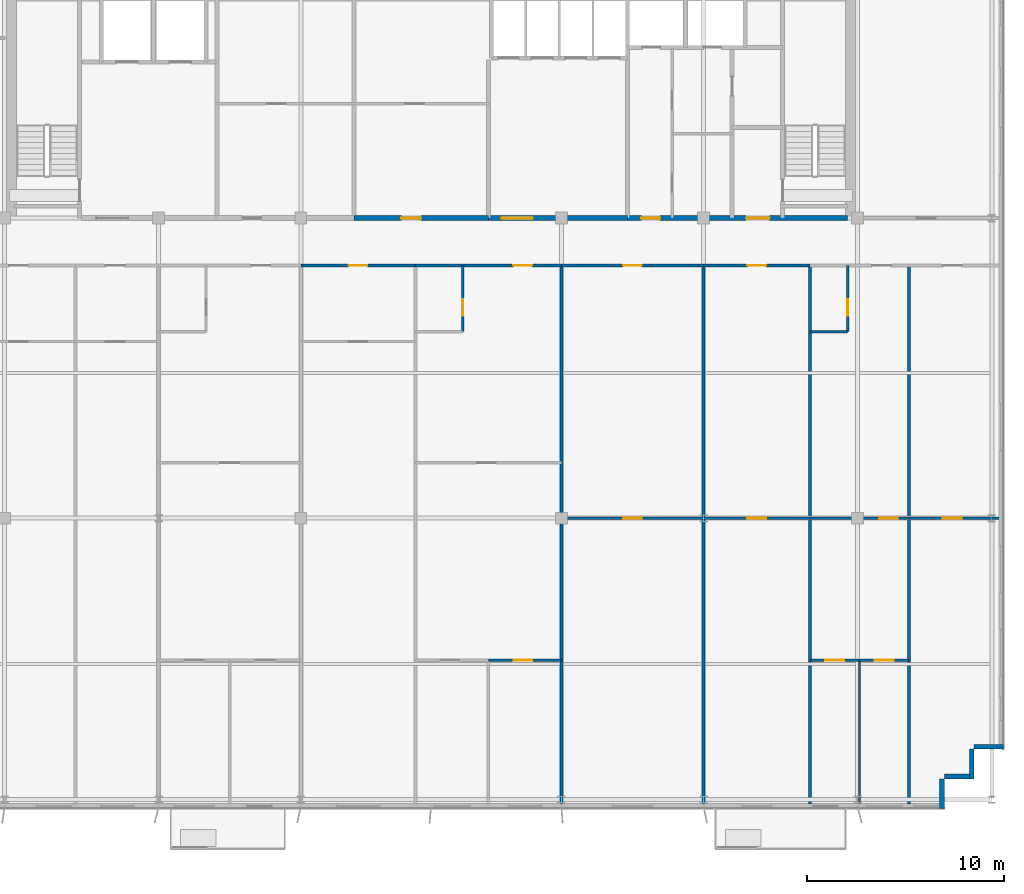
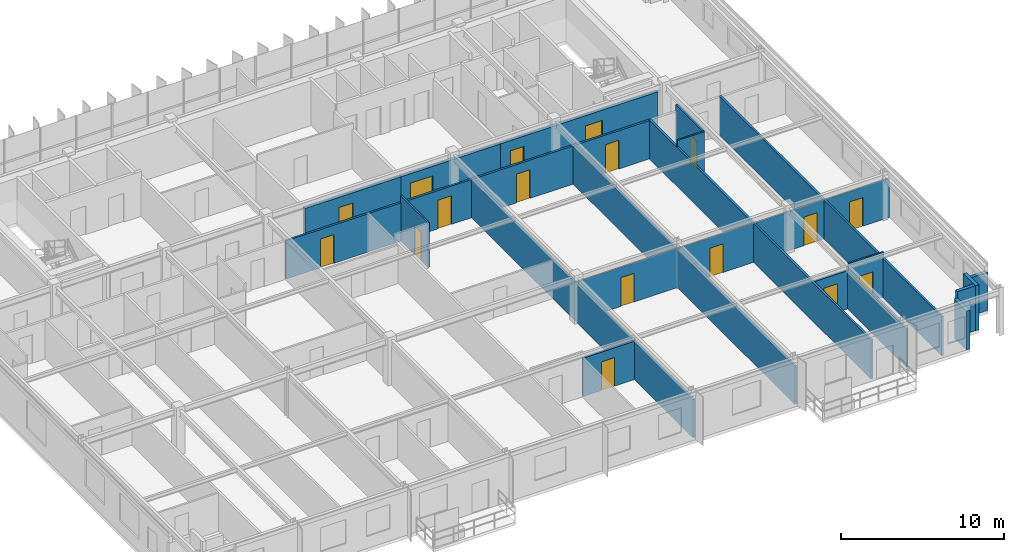
# One storey, part 18 of 23: 26 walls, 17 doors, 17 openings.
"""IFC4 building model written with IfcOpenShell, lengths in metres."""

from ifc_helpers import new_model, si_unit, direction, frame, frame_2d, origin, place, context, subcontext, project, spatial, rectangle, extrude, source, transform, mapped, material, layer, layer_set, type_object, element, fill, save


model = new_model("IFC4")

# Units and contexts
model_context = context("Model", 3, precision=1e-05, world=origin(), true_north=direction((0.0, 1.0)))
body_context = subcontext(model_context, "Body", "Model", "MODEL_VIEW")
ifc_project = project(units=[si_unit("LENGTHUNIT", "METRE"), si_unit("AREAUNIT", "SQUARE_METRE"), si_unit("VOLUMEUNIT", "CUBIC_METRE"), si_unit("PLANEANGLEUNIT", "RADIAN"), si_unit("MASSUNIT", "GRAM", prefix="KILO")], contexts=[model_context])

# Site, building, storey
site_placement = place(None, origin())
site = spatial("IfcSite", under=ifc_project, at=site_placement, CompositionType="ELEMENT")
building_placement = place(site_placement, origin())
building = spatial("IfcBuilding", under=site, at=building_placement, Name="Trelvane Seafront Commons", CompositionType="ELEMENT")
storey_placement = place(building_placement, frame((0.0, 0.0, 266.699951171875)))
storey = spatial("IfcBuildingStorey", under=building, at=storey_placement, Name="L69", CompositionType="ELEMENT", Elevation=266.699951171875)

# Walls
ifc_material_1 = material(Name="Precast concrete C40/50", Category="concrete")
ifc_layer_1 = layer(ifc_material_1, 0.239990234375, Name="ARCH-WALL-EXT240")
ifc_layer_set_1 = layer_set([ifc_layer_1], Name="Precast concrete C40/50")
wall_type_1 = type_object("IfcWallType", Name="ARCH-WALL-EXT240", PredefinedType="SOLIDWALL", material=ifc_layer_set_1)
wall_1_placement = place(storey_placement, frame((66.199951171875, 6.6201171875, 0.0), z_axis=(0.0, 0.0, 1.0), x_axis=(-1.0, 0.0, 0.0)))
element("IfcWall", 1, at=wall_1_placement, inside=storey, type_object=wall_type_1, Name="EW-L69-01397", PredefinedType="SOLIDWALL", context=body_context, shape_type="SweptSolid", body=[
    extrude(rectangle(XDim=1.5, YDim=0.239990234375, at=frame_2d((0.75, 0.0))), origin(), (0.0, 0.0, 1.0), 2.8701171875),
])
for number, where, z_axis, x_axis, name in (
    (2, (64.580078125, 6.5, 0.0), (0.0, 0.0, 1.0), (0.0, -1.0, 0.0), "EW-L69-01398"),
    (3, (64.699951171875, 5.1201171875, 0.0), (0.0, 0.0, 1.0), (-1.0, 0.0, 0.0), "EW-L69-01399"),
):
    element("IfcWall", number, at=place(storey_placement, frame(where, z_axis=z_axis, x_axis=x_axis)), inside=storey, type_object=wall_type_1, Name=name, PredefinedType="SOLIDWALL", context=body_context, shape_type="SweptSolid", body=[
        extrude(rectangle(XDim=1.5, YDim=0.239990234375, at=frame_2d((0.75, 0.0))), origin(), (0.0, 0.0, 1.0), 3.3701171875),
    ])
wall_2_placement = place(storey_placement, frame((63.080078125, 5.0, 0.0), z_axis=(0.0, 0.0, 1.0), x_axis=(0.0, -1.0, 0.0)))
element("IfcWall", 4, at=wall_2_placement, inside=storey, type_object=wall_type_1, Name="EW-L69-01400", PredefinedType="SOLIDWALL", context=body_context, shape_type="SweptSolid", body=[
    extrude(rectangle(XDim=1.5, YDim=0.239990234375, at=frame_2d((0.75, 0.0))), origin(), (0.0, 0.0, 1.0), 2.920166015625),
])

# Wall, opening, door
ifc_material_2 = material(Name="Concrete C40/50", Category="concrete")
ifc_layer_2 = layer(ifc_material_2, 0.25, Name="ARCH-WALL-FIRE250")
ifc_layer_set_2 = layer_set([ifc_layer_2], Name="Concrete C40/50")
wall_type_2 = type_object("IfcWallType", Name="ARCH-WALL-FIRE250", PredefinedType="PARTITIONING", material=ifc_layer_set_2)
wall_3_placement = place(storey_placement, frame((33.300048828125, 33.39990234375, 0.0), z_axis=(0.0, 0.0, 1.0), x_axis=(1.0, 0.0, 0.0)))
wall_3 = element("IfcWall", 5, at=wall_3_placement, inside=storey, type_object=wall_type_2, Name="W-L69-CS-FPM-025", PredefinedType="PARTITIONING", context=body_context, shape_type="SweptSolid", body=[
    extrude(rectangle(XDim=6.800048828125, YDim=0.25, at=frame_2d((3.39990234375, 0.0))), origin(), (0.0, 0.0, 1.0), 2.920166015625),
])
opening_1_placement = place(wall_3_placement, frame((2.39990234375, 0.0, 0.0)))
opening_1 = element("IfcOpeningElement", 6, at=opening_1_placement, cuts=wall_3, Name="Opening FD-L69-13", PredefinedType="OPENING", context=body_context, shape_type="SweptSolid", body=[
    extrude(rectangle(XDim=1.0, YDim=2.14990234375, at=frame_2d((0.5, 1.074951171875))), frame((0.0, 0.135009765625, 0.0), z_axis=(0.0, -1.0, 0.0), x_axis=(1.0, 0.0, 0.0)), (0.0, 0.0, 1.0), 0.27001953125),
])
ifc_material_3 = material(Name="Powder-coated aluminium frame", Category="aluminium")
door_type_1 = type_object("IfcDoorType", Name="ARCH-DR-FD60-1000", OperationType="NOTDEFINED", PredefinedType="DOOR", material=ifc_material_3)
shared_shape_1 = source(origin(), body_context, "Body", "SweptSolid", [
    extrude(rectangle(XDim=1.0, YDim=2.14990234375, at=frame_2d((0.5, 1.074951171875))), frame((0.0, 0.02490234375, 0.0), z_axis=(0.0, -1.0, 0.0), x_axis=(1.0, 0.0, 0.0)), (0.0, 0.0, 1.0), 0.050048828125),
])
door_1_placement = place(opening_1_placement, origin())
door_1 = element("IfcDoor", 7, at=door_1_placement, inside=storey, type_object=door_type_1, Name="L69 Trunk Storage Door", OperationType="SINGLE_SWING_LEFT", OverallHeight=2.14990234375, OverallWidth=1.0, PredefinedType="DOOR", context=body_context, shape_type="MappedRepresentation", body=[
    mapped(shared_shape_1, transform((0.0, 0.0, 0.0), x_axis=(1.0, 0.0, 0.0), y_axis=(0.0, 1.0, 0.0), z_axis=(0.0, 0.0, 1.0), scale=1.0)),
])
fill(opening_1, door_1)

wall_4_placement = place(storey_placement, frame((40.10009765625, 33.39990234375, 0.0), z_axis=(0.0, 0.0, 1.0), x_axis=(1.0, 0.0, 0.0)))
wall_4 = element("IfcWall", 8, at=wall_4_placement, inside=storey, type_object=wall_type_2, Name="W-L69-CS-PAX-026", PredefinedType="PARTITIONING", context=body_context, shape_type="SweptSolid", body=[
    extrude(rectangle(XDim=7.0498046875, YDim=0.25, at=frame_2d((3.52490234375, 0.0))), origin(), (0.0, 0.0, 1.0), 2.920166015625),
])
opening_2_placement = place(wall_4_placement, frame((0.64990234375, 0.0, 0.0)))
opening_2 = element("IfcOpeningElement", 9, at=opening_2_placement, cuts=wall_4, Name="Opening FD-L69-14", PredefinedType="OPENING", context=body_context, shape_type="SweptSolid", body=[
    extrude(rectangle(XDim=1.60009765625, YDim=2.199951171875, at=frame_2d((0.800048828125, 1.10009765625))), frame((0.0, 0.135009765625, 0.0), z_axis=(0.0, -1.0, 0.0), x_axis=(1.0, 0.0, 0.0)), (0.0, 0.0, 1.0), 0.27001953125),
])
door_type_2 = type_object("IfcDoorType", Name="ARCH-DR-FD60-1600", OperationType="DOUBLE_DOOR_SINGLE_SWING", PredefinedType="DOOR", material=ifc_material_3)
shared_shape_2 = source(origin(), body_context, "Body", "SweptSolid", [
    extrude(rectangle(XDim=1.60009765625, YDim=2.199951171875, at=frame_2d((0.800048828125, 1.10009765625))), frame((0.0, 0.02490234375, 0.0), z_axis=(0.0, -1.0, 0.0), x_axis=(1.0, 0.0, 0.0)), (0.0, 0.0, 1.0), 0.050048828125),
])
door_2_placement = place(opening_2_placement, origin())
door_2 = element("IfcDoor", 10, at=door_2_placement, inside=storey, type_object=door_type_2, Name="L69 High-Rise Lift Lobby Double Door", OperationType="DOUBLE_DOOR_SINGLE_SWING", OverallHeight=2.199951171875, OverallWidth=1.60009765625, PredefinedType="DOOR", context=body_context, shape_type="MappedRepresentation", body=[
    mapped(shared_shape_2, transform((0.0, 0.0, 0.0), x_axis=(1.0, 0.0, 0.0), y_axis=(0.0, 1.0, 0.0), z_axis=(0.0, 0.0, 1.0), scale=1.0)),
])
fill(opening_2, door_2)

# Wall, openings, doors
wall_5_placement = place(storey_placement, frame((47.14990234375, 33.39990234375, 0.0), z_axis=(0.0, 0.0, 1.0), x_axis=(1.0, 0.0, 0.0)))
wall_5 = element("IfcWall", 11, at=wall_5_placement, inside=storey, type_object=wall_type_2, Name="W-L69-CS-EAST-034", PredefinedType="PARTITIONING", context=body_context, shape_type="SweptSolid", body=[
    extrude(rectangle(XDim=11.150146484375, YDim=0.25, at=frame_2d((5.5751953125, 0.0))), origin(), (0.0, 0.0, 1.0), 2.920166015625),
])
opening_3_placement = place(wall_5_placement, frame((0.699951171875, 0.0, 0.0)))
opening_3 = element("IfcOpeningElement", 12, at=opening_3_placement, cuts=wall_5, Name="Opening FD-L69-20", PredefinedType="OPENING", context=body_context, shape_type="SweptSolid", body=[
    extrude(rectangle(XDim=0.949951171875, YDim=2.14990234375, at=frame_2d((0.47509765625, 1.074951171875))), frame((0.0, 0.135009765625, 0.0), z_axis=(0.0, -1.0, 0.0), x_axis=(1.0, 0.0, 0.0)), (0.0, 0.0, 1.0), 0.27001953125),
])
opening_4_placement = place(wall_5_placement, frame((6.0, 0.0, 0.0)))
opening_4 = element("IfcOpeningElement", 13, at=opening_4_placement, cuts=wall_5, Name="Opening FD-L69-21", PredefinedType="OPENING", context=body_context, shape_type="SweptSolid", body=[
    extrude(rectangle(XDim=1.199951171875, YDim=2.14990234375, at=frame_2d((0.60009765625, 1.074951171875))), frame((0.0, 0.135009765625, 0.0), z_axis=(0.0, -1.0, 0.0), x_axis=(1.0, 0.0, 0.0)), (0.0, 0.0, 1.0), 0.27001953125),
])
door_type_3 = type_object("IfcDoorType", Name="ARCH-DR-FD60-950", OperationType="NOTDEFINED", PredefinedType="DOOR", material=ifc_material_3)
shared_shape_3 = source(origin(), body_context, "Body", "SweptSolid", [
    extrude(rectangle(XDim=0.949951171875, YDim=2.14990234375, at=frame_2d((0.47509765625, 1.074951171875))), frame((0.0, 0.02490234375, 0.0), z_axis=(0.0, -1.0, 0.0), x_axis=(1.0, 0.0, 0.0)), (0.0, 0.0, 1.0), 0.050048828125),
])
door_3_placement = place(opening_3_placement, origin())
door_3 = element("IfcDoor", 14, at=door_3_placement, inside=storey, type_object=door_type_3, Name="L69 Core Service Lobby Door", OperationType="SINGLE_SWING_RIGHT", OverallHeight=2.14990234375, OverallWidth=0.949951171875, PredefinedType="DOOR", context=body_context, shape_type="MappedRepresentation", body=[
    mapped(shared_shape_3, transform((0.0, 0.0, 0.0), x_axis=(1.0, 0.0, 0.0), y_axis=(0.0, 1.0, 0.0), z_axis=(0.0, 0.0, 1.0), scale=1.0)),
])
fill(opening_3, door_3)
door_type_4 = type_object("IfcDoorType", Name="ARCH-DR-FD60-1200", OperationType="NOTDEFINED", PredefinedType="DOOR", material=ifc_material_3)
shared_shape_4 = source(origin(), body_context, "Body", "SweptSolid", [
    extrude(rectangle(XDim=1.199951171875, YDim=2.14990234375, at=frame_2d((0.60009765625, 1.074951171875))), frame((0.0, 0.02490234375, 0.0), z_axis=(0.0, -1.0, 0.0), x_axis=(1.0, 0.0, 0.0)), (0.0, 0.0, 1.0), 0.050048828125),
])
door_4_placement = place(opening_4_placement, origin())
door_4 = element("IfcDoor", 15, at=door_4_placement, inside=storey, type_object=door_type_4, Name="L69 East Stair Vestibule Fire Door", OperationType="SINGLE_SWING_LEFT", OverallHeight=2.14990234375, OverallWidth=1.199951171875, PredefinedType="DOOR", context=body_context, shape_type="MappedRepresentation", body=[
    mapped(shared_shape_4, transform((0.0, 0.0, 0.0), x_axis=(1.0, 0.0, 0.0), y_axis=(0.0, 1.0, 0.0), z_axis=(0.0, 0.0, 1.0), scale=1.0)),
])
fill(opening_4, door_4)

# Wall, opening, door
ifc_material_4 = material(Name="Gypsum Drywall Acoustic Partition")
ifc_layer_3 = layer(ifc_material_4, 0.1201171875, Name="ARCH-WALL-PART120")
ifc_layer_set_3 = layer_set([ifc_layer_3], Name="Gypsum Drywall Acoustic Partition")
wall_type_3 = type_object("IfcWallType", Name="ARCH-WALL-PART120", PredefinedType="PARTITIONING", material=ifc_layer_set_3)
wall_6_placement = place(storey_placement, frame((38.800048828125, 27.64990234375, 0.0), z_axis=(0.0, 0.0, 1.0), x_axis=(0.0, 1.0, 0.0)))
wall_6 = element("IfcWall", 16, at=wall_6_placement, inside=storey, type_object=wall_type_3, Name="W-L69-U6-BE-073", PredefinedType="PARTITIONING", context=body_context, shape_type="SweptSolid", body=[
    extrude(rectangle(XDim=3.35009765625, YDim=0.1201171875, at=frame_2d((1.675048828125, 0.0))), origin(), (0.0, 0.0, 1.0), 3.3701171875),
])
opening_5_placement = place(wall_6_placement, frame((0.800048828125, 0.0, 0.0)))
opening_5 = element("IfcOpeningElement", 17, at=opening_5_placement, cuts=wall_6, Name="Opening D-L69-46", PredefinedType="OPENING", context=body_context, shape_type="SweptSolid", body=[
    extrude(rectangle(XDim=0.85009765625, YDim=2.10009765625, at=frame_2d((0.425048828125, 1.050048828125))), frame((0.0, 0.070068359375, 0.0), z_axis=(0.0, -1.0, 0.0), x_axis=(1.0, 0.0, 0.0)), (0.0, 0.0, 1.0), 0.14013671875),
])
ifc_material_5 = material(Name="Acoustic timber door leaf", Category="wood")
door_type_5 = type_object("IfcDoorType", Name="ARCH-DR-INT850", OperationType="NOTDEFINED", PredefinedType="DOOR", material=ifc_material_5)
shared_shape_5 = source(origin(), body_context, "Body", "SweptSolid", [
    extrude(rectangle(XDim=0.85009765625, YDim=2.10009765625, at=frame_2d((0.425048828125, 1.050048828125))), frame((0.0, 0.02490234375, 0.0), z_axis=(0.0, -1.0, 0.0), x_axis=(1.0, 0.0, 0.0)), (0.0, 0.0, 1.0), 0.050048828125),
])
door_5_placement = place(opening_5_placement, origin())
door_5 = element("IfcDoor", 18, at=door_5_placement, inside=storey, type_object=door_type_5, Name="L69 Door 46", OperationType="SINGLE_SWING_RIGHT", OverallHeight=2.10009765625, OverallWidth=0.85009765625, PredefinedType="DOOR", context=body_context, shape_type="MappedRepresentation", body=[
    mapped(shared_shape_5, transform((0.0, 0.0, 0.0), x_axis=(1.0, 0.0, 0.0), y_axis=(0.0, 1.0, 0.0), z_axis=(0.0, 0.0, 1.0), scale=1.0)),
])
fill(opening_5, door_5)

wall_7_placement = place(storey_placement, frame((40.10009765625, 11.0, 0.0), z_axis=(0.0, 0.0, 1.0), x_axis=(1.0, 0.0, 0.0)))
wall_7 = element("IfcWall", 19, at=wall_7_placement, inside=storey, type_object=wall_type_3, Name="W-L69-U6-YM-2-077", PredefinedType="PARTITIONING", context=body_context, shape_type="SweptSolid", body=[
    extrude(rectangle(XDim=3.699951171875, YDim=0.1201171875, at=frame_2d((1.85009765625, 0.0))), origin(), (0.0, 0.0, 1.0), 2.8701171875),
])
opening_6_placement = place(wall_7_placement, frame((1.284912109375, 0.0, 0.0)))
opening_6 = element("IfcOpeningElement", 20, at=opening_6_placement, cuts=wall_7, Name="Opening D-L69-49", PredefinedType="OPENING", context=body_context, shape_type="SweptSolid", body=[
    extrude(rectangle(XDim=0.949951171875, YDim=2.14990234375, at=frame_2d((0.47509765625, 1.074951171875))), frame((0.0, 0.070068359375, 0.0), z_axis=(0.0, -1.0, 0.0), x_axis=(1.0, 0.0, 0.0)), (0.0, 0.0, 1.0), 0.14013671875),
])
door_type_6 = type_object("IfcDoorType", Name="ARCH-DR-INT950", OperationType="NOTDEFINED", PredefinedType="DOOR", material=ifc_material_5)
door_6_placement = place(opening_6_placement, origin())
door_6 = element("IfcDoor", 21, at=door_6_placement, inside=storey, type_object=door_type_6, Name="L69 Door 49", OperationType="SINGLE_SWING_LEFT", OverallHeight=2.14990234375, OverallWidth=0.949951171875, PredefinedType="DOOR", context=body_context, shape_type="MappedRepresentation", body=[
    mapped(shared_shape_3, transform((0.0, 0.0, 0.0), x_axis=(1.0, 0.0, 0.0), y_axis=(0.0, 1.0, 0.0), z_axis=(0.0, 0.0, 1.0), scale=1.0)),
])
fill(opening_6, door_6)

wall_8_placement = place(storey_placement, frame((43.800048828125, 18.199951171875, 0.0), z_axis=(0.0, 0.0, 1.0), x_axis=(1.0, 0.0, 0.0)))
wall_8 = element("IfcWall", 22, at=wall_8_placement, inside=storey, type_object=wall_type_3, Name="W-L69-U7-DIV-080", PredefinedType="PARTITIONING", context=body_context, shape_type="SweptSolid", body=[
    extrude(rectangle(XDim=7.199951171875, YDim=0.1201171875, at=frame_2d((3.60009765625, 0.0))), origin(), (0.0, 0.0, 1.0), 2.920166015625),
])
opening_7_placement = place(wall_8_placement, frame((3.125, 0.0, 0.0)))
opening_7 = element("IfcOpeningElement", 23, at=opening_7_placement, cuts=wall_8, Name="Opening D-L69-51", PredefinedType="OPENING", context=body_context, shape_type="SweptSolid", body=[
    extrude(rectangle(XDim=0.949951171875, YDim=2.14990234375, at=frame_2d((0.47509765625, 1.074951171875))), frame((0.0, 0.070068359375, 0.0), z_axis=(0.0, -1.0, 0.0), x_axis=(1.0, 0.0, 0.0)), (0.0, 0.0, 1.0), 0.14013671875),
])
door_7_placement = place(opening_7_placement, origin())
door_7 = element("IfcDoor", 24, at=door_7_placement, inside=storey, type_object=door_type_6, Name="L69 Door 51", OperationType="SINGLE_SWING_LEFT", OverallHeight=2.14990234375, OverallWidth=0.949951171875, PredefinedType="DOOR", context=body_context, shape_type="MappedRepresentation", body=[
    mapped(shared_shape_3, transform((0.0, 0.0, 0.0), x_axis=(1.0, 0.0, 0.0), y_axis=(0.0, 1.0, 0.0), z_axis=(0.0, 0.0, 1.0), scale=1.0)),
])
fill(opening_7, door_7)

wall_9_placement = place(storey_placement, frame((51.0, 18.199951171875, 0.0), z_axis=(0.0, 0.0, 1.0), x_axis=(1.0, 0.0, 0.0)))
wall_9 = element("IfcWall", 25, at=wall_9_placement, inside=storey, type_object=wall_type_3, Name="W-L69-U8-DIV-082", PredefinedType="PARTITIONING", context=body_context, shape_type="SweptSolid", body=[
    extrude(rectangle(XDim=5.39990234375, YDim=0.1201171875, at=frame_2d((2.699951171875, 0.0))), origin(), (0.0, 0.0, 1.0), 2.920166015625),
])
opening_8_placement = place(wall_9_placement, frame((2.22509765625, 0.0, 0.0)))
opening_8 = element("IfcOpeningElement", 26, at=opening_8_placement, cuts=wall_9, Name="Opening D-L69-53", PredefinedType="OPENING", context=body_context, shape_type="SweptSolid", body=[
    extrude(rectangle(XDim=0.949951171875, YDim=2.14990234375, at=frame_2d((0.47509765625, 1.074951171875))), frame((0.0, 0.070068359375, 0.0), z_axis=(0.0, -1.0, 0.0), x_axis=(1.0, 0.0, 0.0)), (0.0, 0.0, 1.0), 0.14013671875),
])
door_8_placement = place(opening_8_placement, origin())
door_8 = element("IfcDoor", 27, at=door_8_placement, inside=storey, type_object=door_type_6, Name="L69 Door 53", OperationType="SINGLE_SWING_LEFT", OverallHeight=2.14990234375, OverallWidth=0.949951171875, PredefinedType="DOOR", context=body_context, shape_type="MappedRepresentation", body=[
    mapped(shared_shape_3, transform((0.0, 0.0, 0.0), x_axis=(1.0, 0.0, 0.0), y_axis=(0.0, 1.0, 0.0), z_axis=(0.0, 0.0, 1.0), scale=1.0)),
])
fill(opening_8, door_8)

wall_10_placement = place(storey_placement, frame((56.39990234375, 18.199951171875, 0.0), z_axis=(0.0, 0.0, 1.0), x_axis=(1.0, 0.0, 0.0)))
wall_10 = element("IfcWall", 28, at=wall_10_placement, inside=storey, type_object=wall_type_3, Name="W-L69-U9-KL-083", PredefinedType="PARTITIONING", context=body_context, shape_type="SweptSolid", body=[
    extrude(rectangle(XDim=5.0, YDim=0.1201171875, at=frame_2d((2.5, 0.0))), origin(), (0.0, 0.0, 1.0), 2.920166015625),
])
opening_9_placement = place(wall_10_placement, frame((3.487060546875, 0.0, 0.0)))
opening_9 = element("IfcOpeningElement", 29, at=opening_9_placement, cuts=wall_10, Name="Opening D-L69-54", PredefinedType="OPENING", context=body_context, shape_type="SweptSolid", body=[
    extrude(rectangle(XDim=0.949951171875, YDim=2.14990234375, at=frame_2d((0.47509765625, 1.074951171875))), frame((0.0, 0.070068359375, 0.0), z_axis=(0.0, -1.0, 0.0), x_axis=(1.0, 0.0, 0.0)), (0.0, 0.0, 1.0), 0.14013671875),
])
door_9_placement = place(opening_9_placement, origin())
door_9 = element("IfcDoor", 30, at=door_9_placement, inside=storey, type_object=door_type_6, Name="L69 Door 54", OperationType="SINGLE_SWING_RIGHT", OverallHeight=2.14990234375, OverallWidth=0.949951171875, PredefinedType="DOOR", context=body_context, shape_type="MappedRepresentation", body=[
    mapped(shared_shape_3, transform((0.0, 0.0, 0.0), x_axis=(1.0, 0.0, 0.0), y_axis=(0.0, 1.0, 0.0), z_axis=(0.0, 0.0, 1.0), scale=1.0)),
])
fill(opening_9, door_9)

wall_11_placement = place(storey_placement, frame((58.300048828125, 27.64990234375, 0.0), z_axis=(0.0, 0.0, 1.0), x_axis=(0.0, 1.0, 0.0)))
wall_11 = element("IfcWall", 31, at=wall_11_placement, inside=storey, type_object=wall_type_3, Name="W-L69-U9-BE-084", PredefinedType="PARTITIONING", context=body_context, shape_type="SweptSolid", body=[
    extrude(rectangle(XDim=3.35009765625, YDim=0.1201171875, at=frame_2d((1.675048828125, 0.0))), origin(), (0.0, 0.0, 1.0), 3.3701171875),
])
opening_10_placement = place(wall_11_placement, frame((0.800048828125, 0.0, 0.0)))
opening_10 = element("IfcOpeningElement", 32, at=opening_10_placement, cuts=wall_11, Name="Opening D-L69-55", PredefinedType="OPENING", context=body_context, shape_type="SweptSolid", body=[
    extrude(rectangle(XDim=0.85009765625, YDim=2.10009765625, at=frame_2d((0.425048828125, 1.050048828125))), frame((0.0, 0.070068359375, 0.0), z_axis=(0.0, -1.0, 0.0), x_axis=(1.0, 0.0, 0.0)), (0.0, 0.0, 1.0), 0.14013671875),
])
door_10_placement = place(opening_10_placement, origin())
door_10 = element("IfcDoor", 33, at=door_10_placement, inside=storey, type_object=door_type_5, Name="L69 Door 55", OperationType="SINGLE_SWING_LEFT", OverallHeight=2.10009765625, OverallWidth=0.85009765625, PredefinedType="DOOR", context=body_context, shape_type="MappedRepresentation", body=[
    mapped(shared_shape_5, transform((0.0, 0.0, 0.0), x_axis=(1.0, 0.0, 0.0), y_axis=(0.0, 1.0, 0.0), z_axis=(0.0, 0.0, 1.0), scale=1.0)),
])
fill(opening_10, door_10)

# Wall
wall_12_placement = place(storey_placement, frame((56.39990234375, 27.64990234375, 0.0), z_axis=(0.0, 0.0, 1.0), x_axis=(1.0, 0.0, 0.0)))
element("IfcWall", 34, at=wall_12_placement, inside=storey, type_object=wall_type_3, Name="W-L69-U9-BS-085", PredefinedType="PARTITIONING", context=body_context, shape_type="SweptSolid", body=[
    extrude(rectangle(XDim=1.900146484375, YDim=0.1201171875, at=frame_2d((0.9501953125, 0.0))), origin(), (0.0, 0.0, 1.0), 3.3701171875),
])

# Wall, opening, door
wall_13_placement = place(storey_placement, frame((56.39990234375, 11.0, 0.0), z_axis=(0.0, 0.0, 1.0), x_axis=(1.0, 0.0, 0.0)))
wall_13 = element("IfcWall", 35, at=wall_13_placement, inside=storey, type_object=wall_type_3, Name="W-L69-U9-YM-1-087", PredefinedType="PARTITIONING", context=body_context, shape_type="SweptSolid", body=[
    extrude(rectangle(XDim=2.5, YDim=0.1201171875, at=frame_2d((1.25, 0.0))), origin(), (0.0, 0.0, 1.0), 2.8701171875),
])
opening_11_placement = place(wall_13_placement, frame((0.77490234375, 0.0, 0.0)))
opening_11 = element("IfcOpeningElement", 36, at=opening_11_placement, cuts=wall_13, Name="Opening D-L69-57", PredefinedType="OPENING", context=body_context, shape_type="SweptSolid", body=[
    extrude(rectangle(XDim=0.949951171875, YDim=2.14990234375, at=frame_2d((0.47509765625, 1.074951171875))), frame((0.0, 0.070068359375, 0.0), z_axis=(0.0, -1.0, 0.0), x_axis=(1.0, 0.0, 0.0)), (0.0, 0.0, 1.0), 0.14013671875),
])
door_11_placement = place(opening_11_placement, origin())
door_11 = element("IfcDoor", 37, at=door_11_placement, inside=storey, type_object=door_type_6, Name="L69 Door 57", OperationType="SINGLE_SWING_LEFT", OverallHeight=2.14990234375, OverallWidth=0.949951171875, PredefinedType="DOOR", context=body_context, shape_type="MappedRepresentation", body=[
    mapped(shared_shape_3, transform((0.0, 0.0, 0.0), x_axis=(1.0, 0.0, 0.0), y_axis=(0.0, 1.0, 0.0), z_axis=(0.0, 0.0, 1.0), scale=1.0)),
])
fill(opening_11, door_11)

wall_14_placement = place(storey_placement, frame((58.89990234375, 11.0, 0.0), z_axis=(0.0, 0.0, 1.0), x_axis=(1.0, 0.0, 0.0)))
wall_14 = element("IfcWall", 38, at=wall_14_placement, inside=storey, type_object=wall_type_3, Name="W-L69-U9-YM-2-088", PredefinedType="PARTITIONING", context=body_context, shape_type="SweptSolid", body=[
    extrude(rectangle(XDim=2.5, YDim=0.1201171875, at=frame_2d((1.25, 0.0))), origin(), (0.0, 0.0, 1.0), 3.3701171875),
])
opening_12_placement = place(wall_14_placement, frame((0.77490234375, 0.0, 0.0)))
opening_12 = element("IfcOpeningElement", 39, at=opening_12_placement, cuts=wall_14, Name="Opening D-L69-58", PredefinedType="OPENING", context=body_context, shape_type="SweptSolid", body=[
    extrude(rectangle(XDim=0.949951171875, YDim=2.14990234375, at=frame_2d((0.47509765625, 1.074951171875))), frame((0.0, 0.070068359375, 0.0), z_axis=(0.0, -1.0, 0.0), x_axis=(1.0, 0.0, 0.0)), (0.0, 0.0, 1.0), 0.14013671875),
])
door_12_placement = place(opening_12_placement, origin())
door_12 = element("IfcDoor", 40, at=door_12_placement, inside=storey, type_object=door_type_6, Name="L69 Door 58", OperationType="SINGLE_SWING_RIGHT", OverallHeight=2.14990234375, OverallWidth=0.949951171875, PredefinedType="DOOR", context=body_context, shape_type="MappedRepresentation", body=[
    mapped(shared_shape_3, transform((0.0, 0.0, 0.0), x_axis=(1.0, 0.0, 0.0), y_axis=(0.0, 1.0, 0.0), z_axis=(0.0, 0.0, 1.0), scale=1.0)),
])
fill(opening_12, door_12)

# Wall
wall_15_placement = place(storey_placement, frame((58.89990234375, 3.72509765625, 0.0), z_axis=(0.0, 0.0, 1.0), x_axis=(0.0, 1.0, 0.0)))
element("IfcWall", 41, at=wall_15_placement, inside=storey, type_object=wall_type_3, Name="W-L69-U9-BDV-1-089", PredefinedType="PARTITIONING", context=body_context, shape_type="SweptSolid", body=[
    extrude(rectangle(XDim=7.27490234375, YDim=0.1201171875, at=frame_2d((3.637451171875, 0.0))), origin(), (0.0, 0.0, 1.0), 2.8701171875),
])

# Wall, opening, door
wall_16_placement = place(storey_placement, frame((61.39990234375, 18.199951171875, 0.0), z_axis=(0.0, 0.0, 1.0), x_axis=(1.0, 0.0, 0.0)))
wall_16 = element("IfcWall", 42, at=wall_16_placement, inside=storey, type_object=wall_type_3, Name="W-L69-U10-DIV-091", PredefinedType="PARTITIONING", context=body_context, shape_type="SweptSolid", body=[
    extrude(rectangle(XDim=4.5751953125, YDim=0.1201171875, at=frame_2d((2.28759765625, 0.0))), origin(), (0.0, 0.0, 1.0), 2.920166015625),
])
opening_13_placement = place(wall_16_placement, frame((1.717041015625, 0.0, 0.0)))
opening_13 = element("IfcOpeningElement", 43, at=opening_13_placement, cuts=wall_16, Name="Opening D-L69-60", PredefinedType="OPENING", context=body_context, shape_type="SweptSolid", body=[
    extrude(rectangle(XDim=0.949951171875, YDim=2.14990234375, at=frame_2d((0.47509765625, 1.074951171875))), frame((0.0, 0.070068359375, 0.0), z_axis=(0.0, -1.0, 0.0), x_axis=(1.0, 0.0, 0.0)), (0.0, 0.0, 1.0), 0.14013671875),
])
door_13_placement = place(opening_13_placement, origin())
door_13 = element("IfcDoor", 44, at=door_13_placement, inside=storey, type_object=door_type_6, Name="L69 Door 60", OperationType="SINGLE_SWING_RIGHT", OverallHeight=2.14990234375, OverallWidth=0.949951171875, PredefinedType="DOOR", context=body_context, shape_type="MappedRepresentation", body=[
    mapped(shared_shape_3, transform((0.0, 0.0, 0.0), x_axis=(1.0, 0.0, 0.0), y_axis=(0.0, 1.0, 0.0), z_axis=(0.0, 0.0, 1.0), scale=1.0)),
])
fill(opening_13, door_13)

# Walls
ifc_layer_4 = layer(ifc_material_4, 0.14990234375, Name="ARCH-WALL-PART150")
ifc_layer_set_4 = layer_set([ifc_layer_4], Name="Gypsum Drywall Acoustic Partition")
wall_type_4 = type_object("IfcWallType", Name="ARCH-WALL-PART150", PredefinedType="PARTITIONING", material=ifc_layer_set_4)
for number, where, z_axis, x_axis, name in (
    (45, (43.800048828125, 3.72509765625, 0.0), (0.0, 0.0, 1.0), (0.0, 1.0, 0.0), "W-L69-PW-6-050"),
    (46, (51.0, 3.72509765625, 0.0), (0.0, 0.0, 1.0), (0.0, 1.0, 0.0), "W-L69-PW-7-051"),
):
    element("IfcWall", number, at=place(storey_placement, frame(where, z_axis=z_axis, x_axis=x_axis)), inside=storey, type_object=wall_type_4, Name=name, PredefinedType="PARTITIONING", context=body_context, shape_type="SweptSolid", body=[
        extrude(rectangle(XDim=27.27490234375, YDim=0.14990234375, at=frame_2d((13.637451171875, 0.0))), origin(), (0.0, 0.0, 1.0), 2.8701171875),
    ])
for number, where, z_axis, x_axis, name in (
    (47, (56.39990234375, 3.72509765625, 0.0), (0.0, 0.0, 1.0), (0.0, 1.0, 0.0), "W-L69-PW-8-052"),
    (48, (61.39990234375, 3.72509765625, 0.0), (0.0, 0.0, 1.0), (0.0, 1.0, 0.0), "W-L69-PW-9-053"),
):
    element("IfcWall", number, at=place(storey_placement, frame(where, z_axis=z_axis, x_axis=x_axis)), inside=storey, type_object=wall_type_4, Name=name, PredefinedType="PARTITIONING", context=body_context, shape_type="SweptSolid", body=[
        extrude(rectangle(XDim=27.27490234375, YDim=0.14990234375, at=frame_2d((13.637451171875, 0.0))), origin(), (0.0, 0.0, 1.0), 2.920166015625),
    ])

# Wall, opening, door
wall_17_placement = place(storey_placement, frame((30.60009765625, 31.0, 0.0), z_axis=(0.0, 0.0, 1.0), x_axis=(1.0, 0.0, 0.0)))
wall_17 = element("IfcWall", 49, at=wall_17_placement, inside=storey, type_object=wall_type_4, Name="W-L69-CS-BAY-5-070", PredefinedType="PARTITIONING", context=body_context, shape_type="SweptSolid", body=[
    extrude(rectangle(XDim=5.7998046875, YDim=0.14990234375, at=frame_2d((2.89990234375, 0.0))), origin(), (0.0, 0.0, 1.0), 2.8701171875),
])
opening_14_placement = place(wall_17_placement, frame((2.425048828125, 0.0, 0.0)))
opening_14 = element("IfcOpeningElement", 50, at=opening_14_placement, cuts=wall_17, Name="Opening FD-L69-43", PredefinedType="OPENING", context=body_context, shape_type="SweptSolid", body=[
    extrude(rectangle(XDim=0.949951171875, YDim=2.14990234375, at=frame_2d((0.47509765625, 1.074951171875))), frame((0.0, 0.0849609375, 0.0), z_axis=(0.0, -1.0, 0.0), x_axis=(1.0, 0.0, 0.0)), (0.0, 0.0, 1.0), 0.169921875),
])
door_14_placement = place(opening_14_placement, origin())
door_14 = element("IfcDoor", 51, at=door_14_placement, inside=storey, type_object=door_type_3, Name="L69 Bay 05 Entrance Door", OperationType="SINGLE_SWING_LEFT", OverallHeight=2.14990234375, OverallWidth=0.949951171875, PredefinedType="DOOR", context=body_context, shape_type="MappedRepresentation", body=[
    mapped(shared_shape_3, transform((0.0, 0.0, 0.0), x_axis=(1.0, 0.0, 0.0), y_axis=(0.0, 1.0, 0.0), z_axis=(0.0, 0.0, 1.0), scale=1.0)),
])
fill(opening_14, door_14)

wall_18_placement = place(storey_placement, frame((36.39990234375, 31.0, 0.0), z_axis=(0.0, 0.0, 1.0), x_axis=(1.0, 0.0, 0.0)))
wall_18 = element("IfcWall", 52, at=wall_18_placement, inside=storey, type_object=wall_type_4, Name="W-L69-CS-BAY-6-075", PredefinedType="PARTITIONING", context=body_context, shape_type="SweptSolid", body=[
    extrude(rectangle(XDim=7.400146484375, YDim=0.14990234375, at=frame_2d((3.7001953125, 0.0))), origin(), (0.0, 0.0, 1.0), 2.8701171875),
])
opening_15_placement = place(wall_18_placement, frame((4.967041015625, 0.0, 0.0)))
opening_15 = element("IfcOpeningElement", 53, at=opening_15_placement, cuts=wall_18, Name="Opening FD-L69-47", PredefinedType="OPENING", context=body_context, shape_type="SweptSolid", body=[
    extrude(rectangle(XDim=0.949951171875, YDim=2.14990234375, at=frame_2d((0.47509765625, 1.074951171875))), frame((0.0, 0.0849609375, 0.0), z_axis=(0.0, -1.0, 0.0), x_axis=(1.0, 0.0, 0.0)), (0.0, 0.0, 1.0), 0.169921875),
])
door_15_placement = place(opening_15_placement, origin())
door_15 = element("IfcDoor", 54, at=door_15_placement, inside=storey, type_object=door_type_3, Name="L69 Unit 06 Entrance Door", OperationType="SINGLE_SWING_LEFT", OverallHeight=2.14990234375, OverallWidth=0.949951171875, PredefinedType="DOOR", context=body_context, shape_type="MappedRepresentation", body=[
    mapped(shared_shape_3, transform((0.0, 0.0, 0.0), x_axis=(1.0, 0.0, 0.0), y_axis=(0.0, 1.0, 0.0), z_axis=(0.0, 0.0, 1.0), scale=1.0)),
])
fill(opening_15, door_15)

wall_19_placement = place(storey_placement, frame((43.800048828125, 31.0, 0.0), z_axis=(0.0, 0.0, 1.0), x_axis=(1.0, 0.0, 0.0)))
wall_19 = element("IfcWall", 55, at=wall_19_placement, inside=storey, type_object=wall_type_4, Name="W-L69-CS-BAY-7-079", PredefinedType="PARTITIONING", context=body_context, shape_type="SweptSolid", body=[
    extrude(rectangle(XDim=7.199951171875, YDim=0.14990234375, at=frame_2d((3.60009765625, 0.0))), origin(), (0.0, 0.0, 1.0), 2.8701171875),
])
opening_16_placement = place(wall_19_placement, frame((3.125, 0.0, 0.0)))
opening_16 = element("IfcOpeningElement", 56, at=opening_16_placement, cuts=wall_19, Name="Opening FD-L69-50", PredefinedType="OPENING", context=body_context, shape_type="SweptSolid", body=[
    extrude(rectangle(XDim=0.949951171875, YDim=2.14990234375, at=frame_2d((0.47509765625, 1.074951171875))), frame((0.0, 0.0849609375, 0.0), z_axis=(0.0, -1.0, 0.0), x_axis=(1.0, 0.0, 0.0)), (0.0, 0.0, 1.0), 0.169921875),
])
door_16_placement = place(opening_16_placement, origin())
door_16 = element("IfcDoor", 57, at=door_16_placement, inside=storey, type_object=door_type_3, Name="L69 Bay 07 Entrance Door", OperationType="SINGLE_SWING_RIGHT", OverallHeight=2.14990234375, OverallWidth=0.949951171875, PredefinedType="DOOR", context=body_context, shape_type="MappedRepresentation", body=[
    mapped(shared_shape_3, transform((0.0, 0.0, 0.0), x_axis=(1.0, 0.0, 0.0), y_axis=(0.0, 1.0, 0.0), z_axis=(0.0, 0.0, 1.0), scale=1.0)),
])
fill(opening_16, door_16)

wall_20_placement = place(storey_placement, frame((51.0, 31.0, 0.0), z_axis=(0.0, 0.0, 1.0), x_axis=(1.0, 0.0, 0.0)))
wall_20 = element("IfcWall", 58, at=wall_20_placement, inside=storey, type_object=wall_type_4, Name="W-L69-CS-BAY-8-081", PredefinedType="PARTITIONING", context=body_context, shape_type="SweptSolid", body=[
    extrude(rectangle(XDim=5.39990234375, YDim=0.14990234375, at=frame_2d((2.699951171875, 0.0))), origin(), (0.0, 0.0, 1.0), 2.8701171875),
])
opening_17_placement = place(wall_20_placement, frame((2.22509765625, 0.0, 0.0)))
opening_17 = element("IfcOpeningElement", 59, at=opening_17_placement, cuts=wall_20, Name="Opening FD-L69-52", PredefinedType="OPENING", context=body_context, shape_type="SweptSolid", body=[
    extrude(rectangle(XDim=0.949951171875, YDim=2.14990234375, at=frame_2d((0.47509765625, 1.074951171875))), frame((0.0, 0.0849609375, 0.0), z_axis=(0.0, -1.0, 0.0), x_axis=(1.0, 0.0, 0.0)), (0.0, 0.0, 1.0), 0.169921875),
])
door_17_placement = place(opening_17_placement, origin())
door_17 = element("IfcDoor", 60, at=door_17_placement, inside=storey, type_object=door_type_3, Name="L69 Bay 08 Entrance Door", OperationType="SINGLE_SWING_RIGHT", OverallHeight=2.14990234375, OverallWidth=0.949951171875, PredefinedType="DOOR", context=body_context, shape_type="MappedRepresentation", body=[
    mapped(shared_shape_3, transform((0.0, 0.0, 0.0), x_axis=(1.0, 0.0, 0.0), y_axis=(0.0, 1.0, 0.0), z_axis=(0.0, 0.0, 1.0), scale=1.0)),
])
fill(opening_17, door_17)

save(model, "model.ifc")
